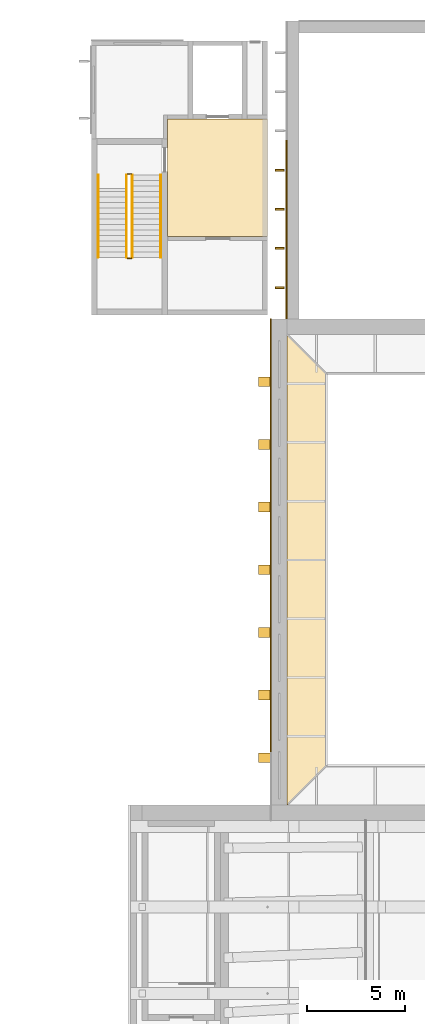
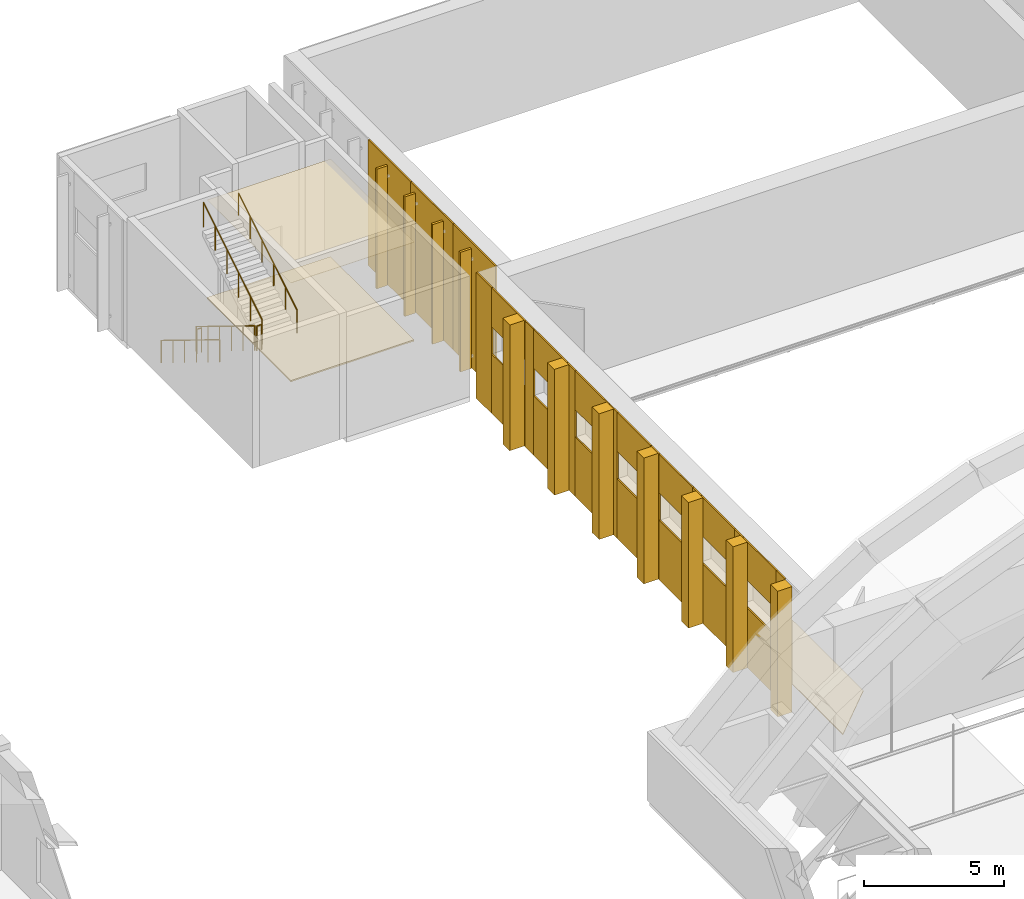
# One storey, part 88 of 94: 35 coverings, 6 railings, 4 shading devices.
"""IFC4 building model written with IfcOpenShell, lengths in metres."""

from ifc_helpers import new_model, si_unit, direction, frame, origin, origin_2d, place, context, subcontext, project, spatial, polyline, rectangle, circle, outline, extrude, material, layer, layer_set, type_object, element, save


model = new_model("IFC4")

# Units and contexts
model_context = context("Model", 3, precision=1e-05, world=origin(), true_north=direction((0.0, 1.0)))
body_context = subcontext(model_context, "Body", "Model", "MODEL_VIEW")
ifc_project = project(units=[si_unit("LENGTHUNIT", "METRE"), si_unit("AREAUNIT", "SQUARE_METRE"), si_unit("VOLUMEUNIT", "CUBIC_METRE"), si_unit("PLANEANGLEUNIT", "RADIAN"), si_unit("MASSUNIT", "GRAM", prefix="KILO")], contexts=[model_context])

# Site, building, storey
site_placement = place(None, origin())
site = spatial("IfcSite", under=ifc_project, at=site_placement, CompositionType="ELEMENT")
building_placement = place(site_placement, origin())
building = spatial("IfcBuilding", under=site, at=building_placement, Name="Lunette Opera House", CompositionType="ELEMENT")
storey_placement = place(building_placement, frame((0.0, 0.0, 22.5)))
storey = spatial("IfcBuildingStorey", under=building, at=storey_placement, Name="L04", CompositionType="ELEMENT", Elevation=22.5)

# Shading devices
ifc_material_1 = material(Name="Powder-coated aluminium", Category="aluminium")
shading_device_type = type_object("IfcShadingDeviceType", Name="SOLAR FIN 100 X 450", PredefinedType="USERDEFINED", material=ifc_material_1)
for number, where, z_axis, x_axis, name in (
    (1, (83.614990234375, 122.39990234375, 0.115234375), (0.0, 0.0, 1.0), (-1.0, 0.0, 0.0), "Solar fin ST-W088 1"),
    (2, (83.614990234375, 124.39990234375, 0.115234375), (0.0, 0.0, 1.0), (-1.0, 0.0, 0.0), "Solar fin ST-W088 2"),
    (3, (83.614990234375, 126.39990234375, 0.115234375), (0.0, 0.0, 1.0), (-1.0, 0.0, 0.0), "Solar fin ST-W088 3"),
    (4, (83.614990234375, 128.39990234375, 0.115234375), (0.0, 0.0, 1.0), (-1.0, 0.0, 0.0), "Solar fin ST-W088 4"),
):
    element("IfcShadingDevice", number, at=place(storey_placement, frame(where, z_axis=z_axis, x_axis=x_axis)), inside=storey, type_object=shading_device_type, Name=name, ObjectType="SOLAR FIN", PredefinedType="USERDEFINED", context=body_context, shape_type="SweptSolid", body=[
        extrude(rectangle(XDim=0.449951171875, YDim=0.10009765625, at=origin_2d()), origin(), (0.0, 0.0, 1.0), 5.235107421875),
    ])

# Railings
ifc_material_2 = material(Name="Steel S355", Category="steel")
railing_type_1 = type_object("IfcRailingType", Name="STAIR GUARD 1100", PredefinedType="GUARDRAIL", material=ifc_material_2)
railing_1_placement = place(storey_placement, frame((75.800048828125, 128.14990234375, 0.171875)))
element("IfcRailing", 5, at=railing_1_placement, inside=storey, type_object=railing_type_1, Name="L04 ST11 stair guard 1", PredefinedType="GUARDRAIL", context=body_context, shape_type="SweptSolid", body=[
    extrude(circle(Radius=0.02392578125, at=origin_2d()), frame((0.0, 0.0, 1.076171875), z_axis=(0.0, -0.852242915053, 0.523146264196), x_axis=(1.0, 0.0, 0.0)), (0.0, 0.0, 1.0), 4.92822265625),
    extrude(circle(Radius=0.02099609375, at=origin_2d()), origin(), (0.0, 0.0, 1.0), 1.052001953125),
    extrude(circle(Radius=0.02099609375, at=origin_2d()), frame((0.0, -0.840087890625, 0.515625)), (0.0, 0.0, 1.0), 1.052001953125),
    extrude(circle(Radius=0.02099609375, at=origin_2d()), frame((0.0, -1.679931640625, 1.03125)), (0.0, 0.0, 1.0), 1.052001953125),
    extrude(circle(Radius=0.02099609375, at=origin_2d()), frame((0.0, -2.52001953125, 1.546875)), (0.0, 0.0, 1.0), 1.052001953125),
    extrude(circle(Radius=0.02099609375, at=origin_2d()), frame((0.0, -3.35986328125, 2.0625)), (0.0, 0.0, 1.0), 1.052001953125),
    extrude(circle(Radius=0.02099609375, at=origin_2d()), frame((0.0, -4.199951171875, 2.578125)), (0.0, 0.0, 1.0), 1.052001953125),
])
railing_2_placement = place(storey_placement, frame((75.85009765625, 123.89990234375, 2.75)))
element("IfcRailing", 6, at=railing_2_placement, inside=storey, type_object=railing_type_1, Name="L04 ST11 stair guard 2", PredefinedType="GUARDRAIL", context=body_context, shape_type="SweptSolid", body=[
    extrude(circle(Radius=0.02392578125, at=origin_2d()), frame((0.0, 0.0, 1.076171875), z_axis=(1.0, 0.0, 0.0), x_axis=(0.0, 1.0, 0.0)), (0.0, 0.0, 1.0), 0.199951171875),
    extrude(circle(Radius=0.02099609375, at=origin_2d()), origin(), (0.0, 0.0, 1.0), 1.052001953125),
    extrude(circle(Radius=0.02099609375, at=origin_2d()), frame((0.199951171875, 0.0, 0.0)), (0.0, 0.0, 1.0), 1.052001953125),
])
railing_3_placement = place(storey_placement, frame((76.10009765625, 123.949951171875, 2.921875)))
element("IfcRailing", 7, at=railing_3_placement, inside=storey, type_object=railing_type_1, Name="L04 ST11 stair guard 3", PredefinedType="GUARDRAIL", context=body_context, shape_type="SweptSolid", body=[
    extrude(circle(Radius=0.02392578125, at=origin_2d()), frame((0.0, 0.0, 1.076171875), z_axis=(0.0, 0.852242915053, 0.523146264196), x_axis=(-1.0, 0.0, 0.0)), (0.0, 0.0, 1.0), 4.92822265625),
    extrude(circle(Radius=0.02099609375, at=origin_2d()), origin(), (0.0, 0.0, 1.0), 1.052001953125),
    extrude(circle(Radius=0.02099609375, at=origin_2d()), frame((0.0, 0.840087890625, 0.515625)), (0.0, 0.0, 1.0), 1.052001953125),
    extrude(circle(Radius=0.02099609375, at=origin_2d()), frame((0.0, 1.679931640625, 1.03125)), (0.0, 0.0, 1.0), 1.052001953125),
    extrude(circle(Radius=0.02099609375, at=origin_2d()), frame((0.0, 2.52001953125, 1.546875)), (0.0, 0.0, 1.0), 1.052001953125),
    extrude(circle(Radius=0.02099609375, at=origin_2d()), frame((0.0, 3.35986328125, 2.0625)), (0.0, 0.0, 1.0), 1.052001953125),
    extrude(circle(Radius=0.02099609375, at=origin_2d()), frame((0.0, 4.199951171875, 2.578125)), (0.0, 0.0, 1.0), 1.052001953125),
])
railing_4_placement = place(storey_placement, frame((75.85009765625, 128.199951171875, 0.0)))
element("IfcRailing", 8, at=railing_4_placement, inside=storey, type_object=railing_type_1, Name="L04 ST11 stair guard 4", PredefinedType="GUARDRAIL", context=body_context, shape_type="SweptSolid", body=[
    extrude(circle(Radius=0.02392578125, at=origin_2d()), frame((0.0, 0.0, 1.076171875), z_axis=(1.0, 0.0, 0.0), x_axis=(0.0, 1.0, 0.0)), (0.0, 0.0, 1.0), 0.199951171875),
    extrude(circle(Radius=0.02099609375, at=origin_2d()), origin(), (0.0, 0.0, 1.0), 1.052001953125),
    extrude(circle(Radius=0.02099609375, at=origin_2d()), frame((0.199951171875, 0.0, 0.0)), (0.0, 0.0, 1.0), 1.052001953125),
])
ifc_material_3 = material(Name="Steel S355", Category="steel")
railing_type_2 = type_object("IfcRailingType", Name="STAIR HANDRAIL 1000", PredefinedType="HANDRAIL", material=ifc_material_3)
railing_5_placement = place(storey_placement, frame((74.35009765625, 128.14990234375, 0.171875)))
element("IfcRailing", 9, at=railing_5_placement, inside=storey, type_object=railing_type_2, Name="L04 ST11 stair handrail 1", PredefinedType="HANDRAIL", context=body_context, shape_type="SweptSolid", body=[
    extrude(circle(Radius=0.02392578125, at=origin_2d()), frame((0.0, 0.0, 0.97607421875), z_axis=(0.0, -0.852242915053, 0.523146264196), x_axis=(1.0, 0.0, 0.0)), (0.0, 0.0, 1.0), 4.92822265625),
    extrude(circle(Radius=0.02099609375, at=origin_2d()), origin(), (0.0, 0.0, 1.0), 0.951904296875),
    extrude(circle(Radius=0.02099609375, at=origin_2d()), frame((0.0, -0.840087890625, 0.515625)), (0.0, 0.0, 1.0), 0.951904296875),
    extrude(circle(Radius=0.02099609375, at=origin_2d()), frame((0.0, -1.679931640625, 1.03125)), (0.0, 0.0, 1.0), 0.951904296875),
    extrude(circle(Radius=0.02099609375, at=origin_2d()), frame((0.0, -2.52001953125, 1.546875)), (0.0, 0.0, 1.0), 0.951904296875),
    extrude(circle(Radius=0.02099609375, at=origin_2d()), frame((0.0, -3.35986328125, 2.0625)), (0.0, 0.0, 1.0), 0.951904296875),
    extrude(circle(Radius=0.02099609375, at=origin_2d()), frame((0.0, -4.199951171875, 2.578125)), (0.0, 0.0, 1.0), 0.951904296875),
])
railing_6_placement = place(storey_placement, frame((77.550048828125, 123.949951171875, 2.921875)))
element("IfcRailing", 10, at=railing_6_placement, inside=storey, type_object=railing_type_2, Name="L04 ST11 stair handrail 2", PredefinedType="HANDRAIL", context=body_context, shape_type="SweptSolid", body=[
    extrude(circle(Radius=0.02392578125, at=origin_2d()), frame((0.0, 0.0, 0.97607421875), z_axis=(0.0, 0.852242915053, 0.523146264196), x_axis=(-1.0, 0.0, 0.0)), (0.0, 0.0, 1.0), 4.92822265625),
    extrude(circle(Radius=0.02099609375, at=origin_2d()), origin(), (0.0, 0.0, 1.0), 0.951904296875),
    extrude(circle(Radius=0.02099609375, at=origin_2d()), frame((0.0, 0.840087890625, 0.515625)), (0.0, 0.0, 1.0), 0.951904296875),
    extrude(circle(Radius=0.02099609375, at=origin_2d()), frame((0.0, 1.679931640625, 1.03125)), (0.0, 0.0, 1.0), 0.951904296875),
    extrude(circle(Radius=0.02099609375, at=origin_2d()), frame((0.0, 2.52001953125, 1.546875)), (0.0, 0.0, 1.0), 0.951904296875),
    extrude(circle(Radius=0.02099609375, at=origin_2d()), frame((0.0, 3.35986328125, 2.0625)), (0.0, 0.0, 1.0), 0.951904296875),
    extrude(circle(Radius=0.02099609375, at=origin_2d()), frame((0.0, 4.199951171875, 2.578125)), (0.0, 0.0, 1.0), 0.951904296875),
])

# Coverings
ifc_material_4 = material(Name="Aluminium standing seam cladding", Category="aluminium")
ifc_layer_1 = layer(ifc_material_4, 0.06005859375)
ifc_layer_set_1 = layer_set([ifc_layer_1], Name="Aluminium standing seam cladding")
covering_type_1 = type_object("IfcCoveringType", Name="STANDING SEAM CLADDING 60", PredefinedType="CLADDING", material=ifc_layer_set_1)
covering_1_placement = place(storey_placement, frame((83.169921875, 99.0, 0.0), z_axis=(0.0, 0.0, 1.0), x_axis=(0.0, 1.0, 0.0)))
element("IfcCovering", 11, at=covering_1_placement, inside=storey, type_object=covering_type_1, Name="Standing seam cladding WW L04 20", PredefinedType="CLADDING", context=body_context, shape_type="SweptSolid", body=[
    extrude(rectangle(XDim=0.60009765625, YDim=0.06005859375, at=origin_2d()), origin(), (0.0, 0.0, 1.0), 5.5),
])
covering_2_placement = place(storey_placement, frame((83.169921875, 100.5, 0.0), z_axis=(0.0, 0.0, 1.0), x_axis=(0.0, 1.0, 0.0)))
element("IfcCovering", 12, at=covering_2_placement, inside=storey, type_object=covering_type_1, Name="Standing seam cladding WW L04 30", PredefinedType="CLADDING", context=body_context, shape_type="SweptSolid", body=[
    extrude(rectangle(XDim=2.39990234375, YDim=0.06005859375, at=origin_2d()), origin(), (0.0, 0.0, 1.0), 2.60009765625),
])
covering_3_placement = place(storey_placement, frame((83.169921875, 100.5, 3.7998046875), z_axis=(0.0, 0.0, 1.0), x_axis=(0.0, 1.0, 0.0)))
element("IfcCovering", 13, at=covering_3_placement, inside=storey, type_object=covering_type_1, Name="Standing seam cladding WW L04 31", PredefinedType="CLADDING", context=body_context, shape_type="SweptSolid", body=[
    extrude(rectangle(XDim=2.39990234375, YDim=0.06005859375, at=origin_2d()), origin(), (0.0, 0.0, 1.0), 1.699951171875),
])
covering_4_placement = place(storey_placement, frame((83.169921875, 102.0, 0.0), z_axis=(0.0, 0.0, 1.0), x_axis=(0.0, 1.0, 0.0)))
element("IfcCovering", 14, at=covering_4_placement, inside=storey, type_object=covering_type_1, Name="Standing seam cladding WW L04 40", PredefinedType="CLADDING", context=body_context, shape_type="SweptSolid", body=[
    extrude(rectangle(XDim=0.60009765625, YDim=0.06005859375, at=origin_2d()), origin(), (0.0, 0.0, 1.0), 5.5),
])
covering_5_placement = place(storey_placement, frame((83.169921875, 103.5, 0.0), z_axis=(0.0, 0.0, 1.0), x_axis=(0.0, 1.0, 0.0)))
element("IfcCovering", 15, at=covering_5_placement, inside=storey, type_object=covering_type_1, Name="Standing seam cladding WW L04 50", PredefinedType="CLADDING", context=body_context, shape_type="SweptSolid", body=[
    extrude(rectangle(XDim=2.39990234375, YDim=0.06005859375, at=origin_2d()), origin(), (0.0, 0.0, 1.0), 2.60009765625),
])
covering_6_placement = place(storey_placement, frame((83.169921875, 103.5, 3.7998046875), z_axis=(0.0, 0.0, 1.0), x_axis=(0.0, 1.0, 0.0)))
element("IfcCovering", 16, at=covering_6_placement, inside=storey, type_object=covering_type_1, Name="Standing seam cladding WW L04 51", PredefinedType="CLADDING", context=body_context, shape_type="SweptSolid", body=[
    extrude(rectangle(XDim=2.39990234375, YDim=0.06005859375, at=origin_2d()), origin(), (0.0, 0.0, 1.0), 1.699951171875),
])
covering_7_placement = place(storey_placement, frame((83.169921875, 105.0, 0.0), z_axis=(0.0, 0.0, 1.0), x_axis=(0.0, 1.0, 0.0)))
element("IfcCovering", 17, at=covering_7_placement, inside=storey, type_object=covering_type_1, Name="Standing seam cladding WW L04 60", PredefinedType="CLADDING", context=body_context, shape_type="SweptSolid", body=[
    extrude(rectangle(XDim=0.60009765625, YDim=0.06005859375, at=origin_2d()), origin(), (0.0, 0.0, 1.0), 5.5),
])
covering_8_placement = place(storey_placement, frame((83.169921875, 106.5, 0.0), z_axis=(0.0, 0.0, 1.0), x_axis=(0.0, 1.0, 0.0)))
element("IfcCovering", 18, at=covering_8_placement, inside=storey, type_object=covering_type_1, Name="Standing seam cladding WW L04 70", PredefinedType="CLADDING", context=body_context, shape_type="SweptSolid", body=[
    extrude(rectangle(XDim=2.39990234375, YDim=0.06005859375, at=origin_2d()), origin(), (0.0, 0.0, 1.0), 2.60009765625),
])
covering_9_placement = place(storey_placement, frame((83.169921875, 106.5, 3.7998046875), z_axis=(0.0, 0.0, 1.0), x_axis=(0.0, 1.0, 0.0)))
element("IfcCovering", 19, at=covering_9_placement, inside=storey, type_object=covering_type_1, Name="Standing seam cladding WW L04 71", PredefinedType="CLADDING", context=body_context, shape_type="SweptSolid", body=[
    extrude(rectangle(XDim=2.39990234375, YDim=0.06005859375, at=origin_2d()), origin(), (0.0, 0.0, 1.0), 1.699951171875),
])
covering_10_placement = place(storey_placement, frame((83.169921875, 108.0, 0.0), z_axis=(0.0, 0.0, 1.0), x_axis=(0.0, 1.0, 0.0)))
element("IfcCovering", 20, at=covering_10_placement, inside=storey, type_object=covering_type_1, Name="Standing seam cladding WW L04 80", PredefinedType="CLADDING", context=body_context, shape_type="SweptSolid", body=[
    extrude(rectangle(XDim=0.60009765625, YDim=0.06005859375, at=origin_2d()), origin(), (0.0, 0.0, 1.0), 5.5),
])
covering_11_placement = place(storey_placement, frame((83.169921875, 109.5, 0.0), z_axis=(0.0, 0.0, 1.0), x_axis=(0.0, 1.0, 0.0)))
element("IfcCovering", 21, at=covering_11_placement, inside=storey, type_object=covering_type_1, Name="Standing seam cladding WW L04 90", PredefinedType="CLADDING", context=body_context, shape_type="SweptSolid", body=[
    extrude(rectangle(XDim=2.39990234375, YDim=0.06005859375, at=origin_2d()), origin(), (0.0, 0.0, 1.0), 2.60009765625),
])
covering_12_placement = place(storey_placement, frame((83.169921875, 109.5, 3.7998046875), z_axis=(0.0, 0.0, 1.0), x_axis=(0.0, 1.0, 0.0)))
element("IfcCovering", 22, at=covering_12_placement, inside=storey, type_object=covering_type_1, Name="Standing seam cladding WW L04 91", PredefinedType="CLADDING", context=body_context, shape_type="SweptSolid", body=[
    extrude(rectangle(XDim=2.39990234375, YDim=0.06005859375, at=origin_2d()), origin(), (0.0, 0.0, 1.0), 1.699951171875),
])
covering_13_placement = place(storey_placement, frame((83.169921875, 111.0, 0.0), z_axis=(0.0, 0.0, 1.0), x_axis=(0.0, 1.0, 0.0)))
element("IfcCovering", 23, at=covering_13_placement, inside=storey, type_object=covering_type_1, Name="Standing seam cladding WW L04 100", PredefinedType="CLADDING", context=body_context, shape_type="SweptSolid", body=[
    extrude(rectangle(XDim=0.60009765625, YDim=0.06005859375, at=origin_2d()), origin(), (0.0, 0.0, 1.0), 5.5),
])
covering_14_placement = place(storey_placement, frame((83.169921875, 112.5, 0.0), z_axis=(0.0, 0.0, 1.0), x_axis=(0.0, 1.0, 0.0)))
element("IfcCovering", 24, at=covering_14_placement, inside=storey, type_object=covering_type_1, Name="Standing seam cladding WW L04 110", PredefinedType="CLADDING", context=body_context, shape_type="SweptSolid", body=[
    extrude(rectangle(XDim=2.39990234375, YDim=0.06005859375, at=origin_2d()), origin(), (0.0, 0.0, 1.0), 2.60009765625),
])
covering_15_placement = place(storey_placement, frame((83.169921875, 112.5, 3.7998046875), z_axis=(0.0, 0.0, 1.0), x_axis=(0.0, 1.0, 0.0)))
element("IfcCovering", 25, at=covering_15_placement, inside=storey, type_object=covering_type_1, Name="Standing seam cladding WW L04 111", PredefinedType="CLADDING", context=body_context, shape_type="SweptSolid", body=[
    extrude(rectangle(XDim=2.39990234375, YDim=0.06005859375, at=origin_2d()), origin(), (0.0, 0.0, 1.0), 1.699951171875),
])
covering_16_placement = place(storey_placement, frame((83.169921875, 114.0, 0.0), z_axis=(0.0, 0.0, 1.0), x_axis=(0.0, 1.0, 0.0)))
element("IfcCovering", 26, at=covering_16_placement, inside=storey, type_object=covering_type_1, Name="Standing seam cladding WW L04 120", PredefinedType="CLADDING", context=body_context, shape_type="SweptSolid", body=[
    extrude(rectangle(XDim=0.60009765625, YDim=0.06005859375, at=origin_2d()), origin(), (0.0, 0.0, 1.0), 5.5),
])
covering_17_placement = place(storey_placement, frame((83.169921875, 115.5, 0.0), z_axis=(0.0, 0.0, 1.0), x_axis=(0.0, 1.0, 0.0)))
element("IfcCovering", 27, at=covering_17_placement, inside=storey, type_object=covering_type_1, Name="Standing seam cladding WW L04 130", PredefinedType="CLADDING", context=body_context, shape_type="SweptSolid", body=[
    extrude(rectangle(XDim=2.39990234375, YDim=0.06005859375, at=origin_2d()), origin(), (0.0, 0.0, 1.0), 2.60009765625),
])
covering_18_placement = place(storey_placement, frame((83.169921875, 115.5, 3.7998046875), z_axis=(0.0, 0.0, 1.0), x_axis=(0.0, 1.0, 0.0)))
element("IfcCovering", 28, at=covering_18_placement, inside=storey, type_object=covering_type_1, Name="Standing seam cladding WW L04 131", PredefinedType="CLADDING", context=body_context, shape_type="SweptSolid", body=[
    extrude(rectangle(XDim=2.39990234375, YDim=0.06005859375, at=origin_2d()), origin(), (0.0, 0.0, 1.0), 1.699951171875),
])
covering_19_placement = place(storey_placement, frame((83.169921875, 117.0, 0.0), z_axis=(0.0, 0.0, 1.0), x_axis=(0.0, 1.0, 0.0)))
element("IfcCovering", 29, at=covering_19_placement, inside=storey, type_object=covering_type_1, Name="Standing seam cladding WW L04 140", PredefinedType="CLADDING", context=body_context, shape_type="SweptSolid", body=[
    extrude(rectangle(XDim=0.60009765625, YDim=0.06005859375, at=origin_2d()), origin(), (0.0, 0.0, 1.0), 5.5),
])
covering_20_placement = place(storey_placement, frame((83.169921875, 118.5, 0.0), z_axis=(0.0, 0.0, 1.0), x_axis=(0.0, 1.0, 0.0)))
element("IfcCovering", 30, at=covering_20_placement, inside=storey, type_object=covering_type_1, Name="Standing seam cladding WW L04 150", PredefinedType="CLADDING", context=body_context, shape_type="SweptSolid", body=[
    extrude(rectangle(XDim=2.39990234375, YDim=0.06005859375, at=origin_2d()), origin(), (0.0, 0.0, 1.0), 2.60009765625),
])
covering_21_placement = place(storey_placement, frame((83.169921875, 118.5, 3.7998046875), z_axis=(0.0, 0.0, 1.0), x_axis=(0.0, 1.0, 0.0)))
element("IfcCovering", 31, at=covering_21_placement, inside=storey, type_object=covering_type_1, Name="Standing seam cladding WW L04 151", PredefinedType="CLADDING", context=body_context, shape_type="SweptSolid", body=[
    extrude(rectangle(XDim=2.39990234375, YDim=0.06005859375, at=origin_2d()), origin(), (0.0, 0.0, 1.0), 1.699951171875),
])
covering_22_placement = place(storey_placement, frame((83.169921875, 120.25, 0.0), z_axis=(0.0, 0.0, 1.0), x_axis=(0.0, 1.0, 0.0)))
element("IfcCovering", 32, at=covering_22_placement, inside=storey, type_object=covering_type_1, Name="Standing seam cladding WW L04 160", PredefinedType="CLADDING", context=body_context, shape_type="SweptSolid", body=[
    extrude(rectangle(XDim=1.10009765625, YDim=0.06005859375, at=origin_2d()), origin(), (0.0, 0.0, 1.0), 5.5),
])
for number, where, z_axis, x_axis, name in (
    (33, (83.969970703125, 122.320068359375, 0.0), (0.0, 0.0, 1.0), (0.0, 1.0, 0.0), "Standing seam cladding SR-W-1 L04 00"),
    (34, (83.969970703125, 125.360107421875, 0.0), (0.0, 0.0, 1.0), (0.0, 1.0, 0.0), "Standing seam cladding SR-W-1 L04 01"),
    (35, (83.969970703125, 128.39990234375, 0.0), (0.0, 0.0, 1.0), (0.0, 1.0, 0.0), "Standing seam cladding SR-W-1 L04 02"),
):
    element("IfcCovering", number, at=place(storey_placement, frame(where, z_axis=z_axis, x_axis=x_axis)), inside=storey, type_object=covering_type_1, Name=name, PredefinedType="CLADDING", context=body_context, shape_type="SweptSolid", body=[
        extrude(rectangle(XDim=3.0400390625, YDim=0.06005859375, at=origin_2d()), origin(), (0.0, 0.0, 1.0), 5.5),
    ])
ifc_material_5 = material(Name="Mineral fibre board")
ifc_layer_2 = layer(ifc_material_5, 0.014892578125)
ifc_layer_set_2 = layer_set([ifc_layer_2], Name="Mineral fibre board")
covering_type_2 = type_object("IfcCoveringType", Name="SUSPENDED ACOUSTIC CEILING 15", PredefinedType="CEILING", material=ifc_layer_set_2)
covering_23_placement = place(storey_placement, frame((0.0, 0.0, 4.31494140625)))
element("IfcCovering", 36, at=covering_23_placement, inside=storey, type_object=covering_type_2, Name="Ceiling Lift Lobby L04 Stage Tower", PredefinedType="CEILING", context=body_context, shape_type="SweptSolid", body=[
    extrude(outline(polyline([(83.0, 125.0), (83.0, 131.0), (77.89990234375, 131.0), (77.89990234375, 125.0), (83.0, 125.0)])), origin(), (0.0, 0.0, 1.0), 0.01513671875),
])
ifc_material_6 = material(Name="Terrazzo")
ifc_layer_3 = layer(ifc_material_6, 0.06005859375)
ifc_layer_set_3 = layer_set([ifc_layer_3], Name="Terrazzo")
covering_type_3 = type_object("IfcCoveringType", Name="TERRAZZO FLOOR FINISH 60", PredefinedType="FLOORING", material=ifc_layer_set_3)
covering_24_placement = place(storey_placement, origin())
element("IfcCovering", 37, at=covering_24_placement, inside=storey, type_object=covering_type_3, Name="Floor finish Lift Lobby L04 Stage Tower", PredefinedType="FLOORING", context=body_context, shape_type="SweptSolid", body=[
    extrude(outline(polyline([(83.0, 125.0), (83.0, 131.0), (77.89990234375, 131.0), (77.89990234375, 125.0), (83.0, 125.0)])), origin(), (0.0, 0.0, 1.0), 0.06005859375),
])
ifc_material_7 = material(Name="Timber", Category="wood")
ifc_layer_4 = layer(ifc_material_7, 0.0400390625)
ifc_layer_set_4 = layer_set([ifc_layer_4], Name="Timber")
covering_type_4 = type_object("IfcCoveringType", Name="TIMBER FLOOR FINISH 40", PredefinedType="FLOORING", material=ifc_layer_set_4)
covering_25_placement = place(storey_placement, origin())
element("IfcCovering", 38, at=covering_25_placement, inside=storey, type_object=covering_type_4, Name="Floor finish Fly Gallery 22.5 West", PredefinedType="FLOORING", context=body_context, shape_type="SweptSolid", body=[
    extrude(outline(polyline([(86.0, 118.0), (86.0, 98.0), (84.0, 96.0), (84.0, 120.0), (86.0, 118.0)])), origin(), (0.0, 0.0, 1.0), 0.0400390625),
])
ifc_material_8 = material(Name="Weathering steel plate", Category="steel")
ifc_layer_5 = layer(ifc_material_8, 0.60009765625)
ifc_layer_set_5 = layer_set([ifc_layer_5], Name="Weathering steel plate")
covering_type_5 = type_object("IfcCoveringType", Name="TOWER RIB 500 X 600", PredefinedType="CLADDING", material=ifc_layer_set_5)
for number, where, z_axis, x_axis, name in (
    (39, (82.840087890625, 98.39990234375, 0.0), (0.0, 0.0, 1.0), (0.0, 1.0, 0.0), "Tower rib WW L04 1"),
    (40, (82.840087890625, 101.60009765625, 0.0), (0.0, 0.0, 1.0), (0.0, 1.0, 0.0), "Tower rib WW L04 2"),
    (41, (82.840087890625, 104.800048828125, 0.0), (0.0, 0.0, 1.0), (0.0, 1.0, 0.0), "Tower rib WW L04 3"),
    (42, (82.840087890625, 108.0, 0.0), (0.0, 0.0, 1.0), (0.0, 1.0, 0.0), "Tower rib WW L04 4"),
    (43, (82.840087890625, 111.199951171875, 0.0), (0.0, 0.0, 1.0), (0.0, 1.0, 0.0), "Tower rib WW L04 5"),
    (44, (82.840087890625, 114.39990234375, 0.0), (0.0, 0.0, 1.0), (0.0, 1.0, 0.0), "Tower rib WW L04 6"),
    (45, (82.840087890625, 117.60009765625, 0.0), (0.0, 0.0, 1.0), (0.0, 1.0, 0.0), "Tower rib WW L04 7"),
):
    element("IfcCovering", number, at=place(storey_placement, frame(where, z_axis=z_axis, x_axis=x_axis)), inside=storey, type_object=covering_type_5, Name=name, PredefinedType="CLADDING", context=body_context, shape_type="SweptSolid", body=[
        extrude(rectangle(XDim=0.5, YDim=0.60009765625, at=origin_2d()), origin(), (0.0, 0.0, 1.0), 5.5),
    ])

save(model, "model.ifc")
